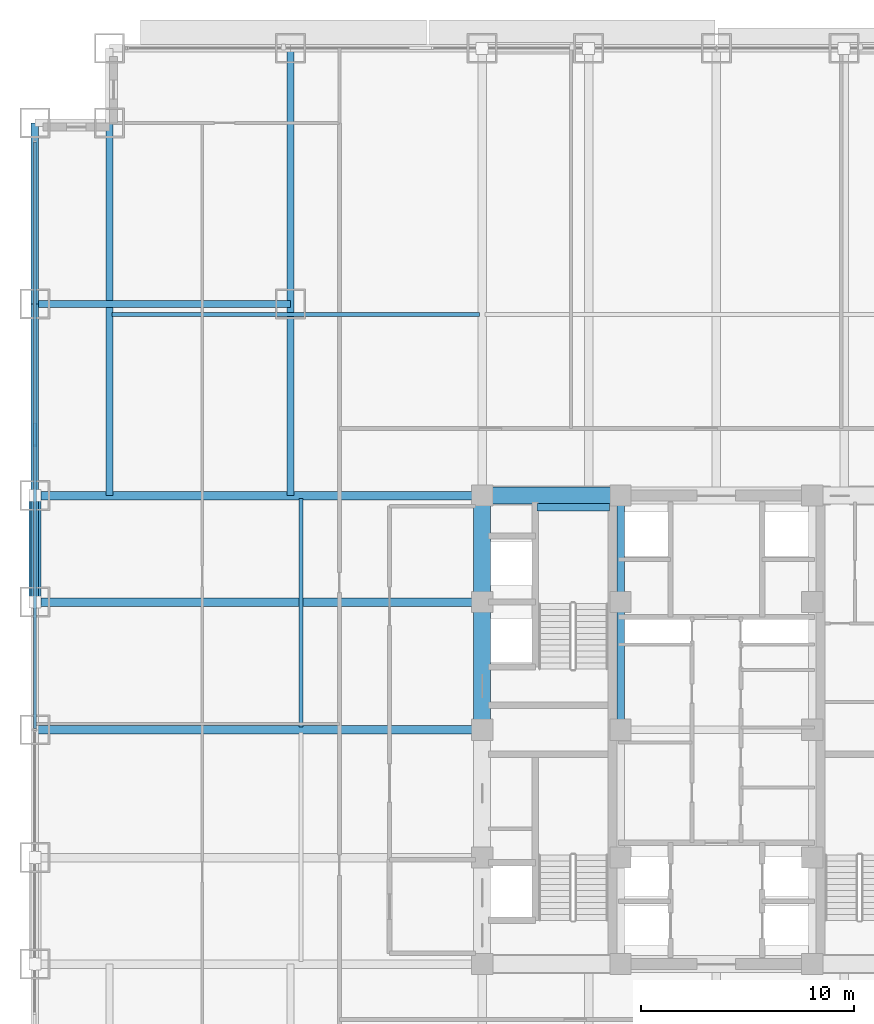
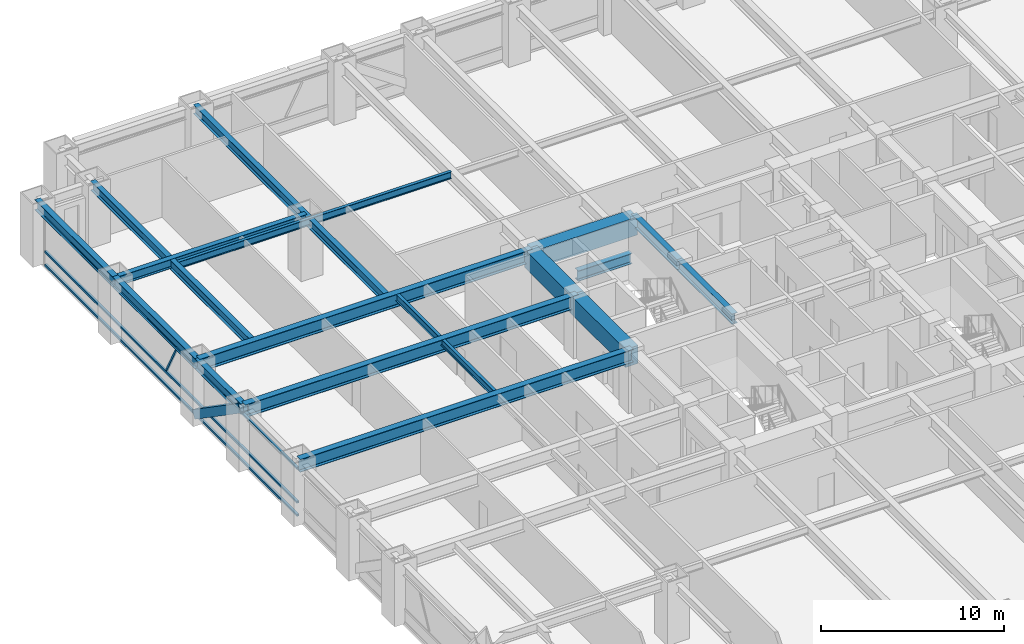
# One storey, part 9 of 32: 17 beams, 5 members, 1 element without a shape of its own.
"""IFC4 building model written with IfcOpenShell, lengths in metres."""

from ifc_helpers import new_model, si_unit, direction, frame, origin, origin_2d, place, context, subcontext, project, spatial, rectangle, hollow_rectangle, i_section, extrude, source, transform, mapped, material, material_profile, profile_set, type_object, element, aggregate, save


model = new_model("IFC4")

# Units and contexts
model_context = context("Model", 3, precision=1e-05, world=origin(), true_north=direction((0.0, 1.0)))
body_context = subcontext(model_context, "Body", "Model", "MODEL_VIEW")
ifc_project = project(units=[si_unit("LENGTHUNIT", "METRE"), si_unit("AREAUNIT", "SQUARE_METRE"), si_unit("VOLUMEUNIT", "CUBIC_METRE"), si_unit("PLANEANGLEUNIT", "RADIAN"), si_unit("MASSUNIT", "GRAM", prefix="KILO")], contexts=[model_context])

# Site, building, storey
site_placement = place(None, origin())
site = spatial("IfcSite", under=ifc_project, at=site_placement, CompositionType="ELEMENT")
building_placement = place(site_placement, origin())
building = spatial("IfcBuilding", under=site, at=building_placement, Name="Khorayat Bourse Tower", CompositionType="ELEMENT")
storey_placement = place(building_placement, frame((0.0, 0.0, 70.39990234375)))
storey = spatial("IfcBuildingStorey", under=building, at=storey_placement, Name="L15", CompositionType="ELEMENT", Elevation=70.39990234375)

# Beams
ifc_material_1 = material(Name="Concrete C72/90", Category="concrete")
ifc_material_profile_1 = material_profile(ifc_material_1, rectangle(XDim=0.800048828125, YDim=1.199951171875, at=origin_2d()), Name="RC 800x1200")
ifc_profile_set_1 = profile_set([ifc_material_profile_1], Name="Concrete C72/90")
beam_type_1 = type_object("IfcBeamType", Name="BM-COUP-1200", PredefinedType="BEAM", material=ifc_profile_set_1)
shared_shape_1 = source(origin(), body_context, "Body", "SweptSolid", [
    extrude(rectangle(XDim=0.800048828125, YDim=1.199951171875, at=origin_2d()), origin(), (0.0, 0.0, 1.0), 5.0),
])
beam_1_placement = place(storey_placement, frame((-11.0, 6.0, 3.340087890625), z_axis=(0.0, 1.0, 0.0), x_axis=(-1.0, 0.0, 0.0)))
element("IfcBeam", 1, at=beam_1_placement, inside=storey, type_object=beam_type_1, Name="L15 BM-COUP-1200 BM-L15-CRX-04", PredefinedType="BEAM", context=body_context, shape_type="MappedRepresentation", body=[
    mapped(shared_shape_1, transform((0.0, 0.0, 0.0), scale=1.0)),
])
shared_shape_2 = source(origin(), body_context, "Body", "SweptSolid", [
    extrude(rectangle(XDim=0.800048828125, YDim=1.199951171875, at=origin_2d()), origin(), (0.0, 0.0, 1.0), 6.0),
])
beam_2_placement = place(storey_placement, frame((-11.0, 0.0, 3.340087890625), z_axis=(0.0, 1.0, 0.0), x_axis=(-1.0, 0.0, 0.0)))
element("IfcBeam", 2, at=beam_2_placement, inside=storey, type_object=beam_type_1, Name="L15 BM-COUP-1200 BM-L15-CRX-03", PredefinedType="BEAM", context=body_context, shape_type="MappedRepresentation", body=[
    mapped(shared_shape_2, transform((0.0, 0.0, 0.0), scale=1.0)),
])
ifc_material_2 = material(Name="Steel ASTM A992 Grade 50", Category="steel")
ifc_material_profile_2 = material_profile(ifc_material_2, i_section(OverallWidth=0.35498046875, OverallDepth=0.695068359375, WebThickness=0.015380859375, FlangeThickness=0.02490234375, FilletRadius=0.01806640625, at=origin_2d()), Name="W690X217")
ifc_profile_set_2 = profile_set([ifc_material_profile_2], Name="Steel ASTM A992 Grade 50")
beam_type_2 = type_object("IfcBeamType", Name="BM-GIRD-690", PredefinedType="BEAM", material=ifc_profile_set_2)
shared_shape_3 = source(origin(), body_context, "Body", "SweptSolid", [
    extrude(i_section(OverallWidth=0.35498046875, OverallDepth=0.695068359375, WebThickness=0.015380859375, FlangeThickness=0.02490234375, FilletRadius=0.01806640625, at=origin_2d()), origin(), (0.0, 0.0, 1.0), 5.0),
])
beam_3_placement = place(storey_placement, frame((-4.5, 6.0, 3.592529296875), z_axis=(0.0, 1.0, 0.0), x_axis=(-1.0, 0.0, 0.0)))
element("IfcBeam", 3, at=beam_3_placement, inside=storey, type_object=beam_type_2, Name="L15 BM-GIRD-690 BM-L15-CRX-08", PredefinedType="BEAM", context=body_context, shape_type="MappedRepresentation", body=[
    mapped(shared_shape_3, transform((0.0, 0.0, 0.0), scale=1.0)),
])
shared_shape_4 = source(origin(), body_context, "Body", "SweptSolid", [
    extrude(i_section(OverallWidth=0.35498046875, OverallDepth=0.695068359375, WebThickness=0.015380859375, FlangeThickness=0.02490234375, FilletRadius=0.01806640625, at=origin_2d()), origin(), (0.0, 0.0, 1.0), 6.0),
])
beam_4_placement = place(storey_placement, frame((-4.5, 0.0, 3.592529296875), z_axis=(0.0, 1.0, 0.0), x_axis=(-1.0, 0.0, 0.0)))
element("IfcBeam", 4, at=beam_4_placement, inside=storey, type_object=beam_type_2, Name="L15 BM-GIRD-690 BM-L15-CRX-07", PredefinedType="BEAM", context=body_context, shape_type="MappedRepresentation", body=[
    mapped(shared_shape_4, transform((0.0, 0.0, 0.0), scale=1.0)),
])
shared_shape_5 = source(origin(), body_context, "Body", "SweptSolid", [
    extrude(rectangle(XDim=0.800048828125, YDim=1.199951171875, at=origin_2d()), origin(), (0.0, 0.0, 1.0), 6.5),
])
beam_5_placement = place(storey_placement, frame((-11.0, 11.0, 3.340087890625), z_axis=(1.0, 0.0, 0.0), x_axis=(0.0, 1.0, 0.0)))
element("IfcBeam", 5, at=beam_5_placement, inside=storey, type_object=beam_type_1, Name="L15 BM-COUP-1200 BM-L15-CRY-20", PredefinedType="BEAM", context=body_context, shape_type="MappedRepresentation", body=[
    mapped(shared_shape_5, transform((0.0, 0.0, 0.0), scale=1.0)),
])
shared_shape_6 = source(origin(), body_context, "Body", "SweptSolid", [
    extrude(i_section(OverallWidth=0.35498046875, OverallDepth=0.695068359375, WebThickness=0.015380859375, FlangeThickness=0.02490234375, FilletRadius=0.01806640625, at=origin_2d()), origin(), (0.0, 0.0, 1.0), 3.39990234375),
])
beam_6_placement = place(storey_placement, frame((-8.419921875, 10.449951171875, 1.552490234375), z_axis=(1.0, 0.0, 0.0), x_axis=(0.0, 1.0, 0.0)))
element("IfcBeam", 6, at=beam_6_placement, inside=storey, type_object=beam_type_2, Name="L15 BM-GIRD-690 BM-L15-ST2L", PredefinedType="BEAM", context=body_context, shape_type="MappedRepresentation", body=[
    mapped(shared_shape_6, transform((0.0, 0.0, 0.0), scale=1.0)),
])
ifc_material_profile_3 = material_profile(ifc_material_2, i_section(OverallWidth=0.35498046875, OverallDepth=0.695068359375, WebThickness=0.015380859375, FlangeThickness=0.02490234375, FilletRadius=0.01806640625, at=origin_2d()), Name="W690X217")
ifc_profile_set_3 = profile_set([ifc_material_profile_3], Name="Steel ASTM A992 Grade 50")
beam_type_3 = type_object("IfcBeamType", Name="BM-SPAN-690", PredefinedType="SPANDREL", material=ifc_profile_set_3)
shared_shape_7 = source(origin(), body_context, "Body", "SweptSolid", [
    extrude(i_section(OverallWidth=0.35498046875, OverallDepth=0.695068359375, WebThickness=0.015380859375, FlangeThickness=0.02490234375, FilletRadius=0.01806640625, at=origin_2d()), origin(), (0.0, 0.0, 1.0), 8.5),
])
beam_7_placement = place(storey_placement, frame((-32.0, 20.0, 3.592529296875), z_axis=(0.0, 1.0, 0.0), x_axis=(-1.0, 0.0, 0.0)))
element("IfcBeam", 7, at=beam_7_placement, inside=storey, type_object=beam_type_3, Name="L15 BM-SPAN-690 BM-L15-SPN-054", PredefinedType="SPANDREL", context=body_context, shape_type="MappedRepresentation", body=[
    mapped(shared_shape_7, transform((0.0, 0.0, 0.0), scale=1.0)),
])
shared_shape_8 = source(origin(), body_context, "Body", "SweptSolid", [
    extrude(i_section(OverallWidth=0.35498046875, OverallDepth=0.695068359375, WebThickness=0.015380859375, FlangeThickness=0.02490234375, FilletRadius=0.01806640625, at=origin_2d()), origin(), (0.0, 0.0, 1.0), 9.0),
])
beam_8_placement = place(storey_placement, frame((-32.0, 11.0, 3.592529296875), z_axis=(0.0, 1.0, 0.0), x_axis=(-1.0, 0.0, 0.0)))
element("IfcBeam", 8, at=beam_8_placement, inside=storey, type_object=beam_type_3, Name="L15 BM-SPAN-690 BM-L15-SPN-055", PredefinedType="SPANDREL", context=body_context, shape_type="MappedRepresentation", body=[
    mapped(shared_shape_8, transform((0.0, 0.0, 0.0), scale=1.0)),
])
shared_shape_9 = source(origin(), body_context, "Body", "SweptSolid", [
    extrude(i_section(OverallWidth=0.35498046875, OverallDepth=0.695068359375, WebThickness=0.015380859375, FlangeThickness=0.02490234375, FilletRadius=0.01806640625, at=origin_2d()), origin(), (0.0, 0.0, 1.0), 5.0),
])
beam_9_placement = place(storey_placement, frame((-32.0, 6.0, 3.592529296875), z_axis=(0.0, 1.0, 0.0), x_axis=(-1.0, 0.0, 0.0)))
element("IfcBeam", 9, at=beam_9_placement, inside=storey, type_object=beam_type_3, Name="L15 BM-SPAN-690 BM-L15-SPN-056", PredefinedType="SPANDREL", context=body_context, shape_type="MappedRepresentation", body=[
    mapped(shared_shape_9, transform((0.0, 0.0, 0.0), scale=1.0)),
])
ifc_material_profile_4 = material_profile(ifc_material_2, i_section(OverallWidth=0.39990234375, OverallDepth=0.85498046875, WebThickness=0.018310546875, FlangeThickness=0.029296875, FilletRadius=0.02001953125, at=origin_2d()), Name="W840X299")
ifc_profile_set_4 = profile_set([ifc_material_profile_4], Name="Steel ASTM A992 Grade 50")
beam_type_4 = type_object("IfcBeamType", Name="BM-GIRD-840", PredefinedType="BEAM", material=ifc_profile_set_4)
shared_shape_10 = source(origin(), body_context, "Body", "SweptSolid", [
    extrude(i_section(OverallWidth=0.39990234375, OverallDepth=0.85498046875, WebThickness=0.018310546875, FlangeThickness=0.029296875, FilletRadius=0.02001953125, at=origin_2d()), origin(), (0.0, 0.0, 1.0), 21.0),
])
for number, where, z_axis, x_axis, name in (
    (10, (-32.0, 0.0, 3.5126953125), (1.0, 0.0, 0.0), (0.0, 1.0, 0.0), "L15 BM-GIRD-840 BM-L15-RADX-079"),
    (11, (-32.0, 6.0, 3.5126953125), (1.0, 0.0, 0.0), (0.0, 1.0, 0.0), "L15 BM-GIRD-840 BM-L15-RADX-081"),
    (12, (-32.0, 11.0, 3.5126953125), (1.0, 0.0, 0.0), (0.0, 1.0, 0.0), "L15 BM-GIRD-840 BM-L15-RADX-083"),
):
    element("IfcBeam", number, at=place(storey_placement, frame(where, z_axis=z_axis, x_axis=x_axis)), inside=storey, type_object=beam_type_4, Name=name, PredefinedType="BEAM", context=body_context, shape_type="MappedRepresentation", body=[
        mapped(shared_shape_10, transform((0.0, 0.0, 0.0), scale=1.0)),
    ])
ifc_material_profile_5 = material_profile(ifc_material_2, i_section(OverallWidth=0.324951171875, OverallDepth=0.615966796875, WebThickness=0.013916015625, FlangeThickness=0.021484375, FilletRadius=0.01611328125, at=origin_2d()), Name="W610X174")
ifc_profile_set_5 = profile_set([ifc_material_profile_5], Name="Steel ASTM A992 Grade 50")
beam_type_5 = type_object("IfcBeamType", Name="BM-GIRD-610", PredefinedType="BEAM", material=ifc_profile_set_5)
shared_shape_11 = source(origin(), body_context, "Body", "SweptSolid", [
    extrude(i_section(OverallWidth=0.324951171875, OverallDepth=0.615966796875, WebThickness=0.013916015625, FlangeThickness=0.021484375, FilletRadius=0.01611328125, at=origin_2d()), origin(), (0.0, 0.0, 1.0), 21.0),
])
beam_10_placement = place(storey_placement, frame((-20.0, 11.0, 3.632080078125), z_axis=(0.0, 1.0, 0.0), x_axis=(-1.0, 0.0, 0.0)))
element("IfcBeam", 13, at=beam_10_placement, inside=storey, type_object=beam_type_5, Name="L15 BM-GIRD-610 BM-L15-CNRY-085", PredefinedType="BEAM", context=body_context, shape_type="MappedRepresentation", body=[
    mapped(shared_shape_11, transform((0.0, 0.0, 0.0), scale=1.0)),
])
shared_shape_12 = source(origin(), body_context, "Body", "SweptSolid", [
    extrude(i_section(OverallWidth=0.324951171875, OverallDepth=0.615966796875, WebThickness=0.013916015625, FlangeThickness=0.021484375, FilletRadius=0.01611328125, at=origin_2d()), origin(), (0.0, 0.0, 1.0), 17.5),
])
beam_11_placement = place(storey_placement, frame((-28.5, 11.0, 3.632080078125), z_axis=(0.0, 1.0, 0.0), x_axis=(-1.0, 0.0, 0.0)))
element("IfcBeam", 14, at=beam_11_placement, inside=storey, type_object=beam_type_5, Name="L15 BM-GIRD-610 BM-L15-CNRY-089", PredefinedType="BEAM", context=body_context, shape_type="MappedRepresentation", body=[
    mapped(shared_shape_12, transform((0.0, 0.0, 0.0), scale=1.0)),
])
shared_shape_13 = source(origin(), body_context, "Body", "SweptSolid", [
    extrude(i_section(OverallWidth=0.324951171875, OverallDepth=0.615966796875, WebThickness=0.013916015625, FlangeThickness=0.021484375, FilletRadius=0.01611328125, at=origin_2d()), origin(), (0.0, 0.0, 1.0), 12.0),
])
beam_12_placement = place(storey_placement, frame((-32.0, 20.0, 3.632080078125), z_axis=(1.0, 0.0, 0.0), x_axis=(0.0, 1.0, 0.0)))
element("IfcBeam", 15, at=beam_12_placement, inside=storey, type_object=beam_type_5, Name="L15 BM-GIRD-610 BM-L15-CNRX-095", PredefinedType="BEAM", context=body_context, shape_type="MappedRepresentation", body=[
    mapped(shared_shape_13, transform((0.0, 0.0, 0.0), scale=1.0)),
])
ifc_material_profile_6 = material_profile(ifc_material_2, i_section(OverallWidth=0.194091796875, OverallDepth=0.468994140625, WebThickness=0.0126953125, FlangeThickness=0.0205078125, FilletRadius=0.012939453125, at=origin_2d()), Name="W460X106")
ifc_profile_set_6 = profile_set([ifc_material_profile_6], Name="Steel ASTM A992 Grade 50")
beam_type_6 = type_object("IfcBeamType", Name="BM-JOIST-460", PredefinedType="JOIST", material=ifc_profile_set_6)
shared_shape_14 = source(origin(), body_context, "Body", "SweptSolid", [
    extrude(i_section(OverallWidth=0.194091796875, OverallDepth=0.468994140625, WebThickness=0.0126953125, FlangeThickness=0.0205078125, FilletRadius=0.012939453125, at=origin_2d()), origin(), (0.0, 0.0, 1.0), 17.240234375),
])
beam_13_placement = place(storey_placement, frame((-28.3701171875, 19.5, 3.70556640625), z_axis=(1.0, 0.0, 0.0), x_axis=(0.0, 1.0, 0.0)))
element("IfcBeam", 16, at=beam_13_placement, inside=storey, type_object=beam_type_6, Name="L15 BM-JOIST-460 BM-L15-JSTX-099", PredefinedType="JOIST", context=body_context, shape_type="MappedRepresentation", body=[
    mapped(shared_shape_14, transform((0.0, 0.0, 0.0), scale=1.0)),
])
shared_shape_15 = source(origin(), body_context, "Body", "SweptSolid", [
    extrude(i_section(OverallWidth=0.194091796875, OverallDepth=0.468994140625, WebThickness=0.0126953125, FlangeThickness=0.0205078125, FilletRadius=0.012939453125, at=origin_2d()), origin(), (0.0, 0.0, 1.0), 10.740234375),
])
beam_14_placement = place(storey_placement, frame((-19.5, 0.1298828125, 3.70556640625), z_axis=(0.0, 1.0, 0.0), x_axis=(-1.0, 0.0, 0.0)))
element("IfcBeam", 17, at=beam_14_placement, inside=storey, type_object=beam_type_6, Name="L15 BM-JOIST-460 BM-L15-JSTY-103", PredefinedType="JOIST", context=body_context, shape_type="MappedRepresentation", body=[
    mapped(shared_shape_15, transform((0.0, 0.0, 0.0), scale=1.0)),
])

# Member
ifc_material_3 = material(Name="Steel EN 10025-4 S460M", Category="steel")
ifc_material_profile_7 = material_profile(ifc_material_3, hollow_rectangle(XDim=0.550048828125, YDim=0.550048828125, WallThickness=0.031982421875, at=origin_2d()), Name="HSS 550x550x32")
ifc_profile_set_7 = profile_set([ifc_material_profile_7], Name="Steel EN 10025-4 S460M")
member_type_1 = type_object("IfcMemberType", Name="MBR-TUBE-550", PredefinedType="BRACE", material=ifc_profile_set_7)
shared_shape_16 = source(origin(), body_context, "Body", "SweptSolid", [
    extrude(hollow_rectangle(XDim=0.550048828125, YDim=0.550048828125, WallThickness=0.031982421875, at=origin_2d()), origin(), (0.0, 0.0, 1.0), 6.069091796875),
])
member_1_placement = place(storey_placement, frame((-32.0, 6.0, 3.690185546875), z_axis=(0.0, 0.823835295996, -0.566829255659), x_axis=(-1.0, 0.0, 0.0)))
element("IfcMember", 18, at=member_1_placement, inside=storey, type_object=member_type_1, Name="L15 Perimeter Tube Brace 06", PredefinedType="BRACE", context=body_context, shape_type="MappedRepresentation", body=[
    mapped(shared_shape_16, transform((0.0, 0.0, 0.0), scale=1.0)),
])

# Curtain wall, members
ifc_material_4 = material(Name="Aluminium EN AW-6063 T6", Category="aluminium")
curtain_wall_type = type_object("IfcCurtainWallType", Name="CW-SYS-02", PredefinedType="NOTDEFINED", material=ifc_material_4)
curtain_wall_placement = place(storey_placement, origin())
curtain_wall = element("IfcCurtainWall", 19, at=curtain_wall_placement, inside=storey, type_object=curtain_wall_type, Name="L15 Curtain Wall CW-L15-W1", PredefinedType="NOTDEFINED")
ifc_material_profile_8 = material_profile(ifc_material_4, hollow_rectangle(XDim=0.1201171875, YDim=0.1201171875, WallThickness=0.0048828125, at=origin_2d()), Name="ALU 120x120x5")
ifc_profile_set_8 = profile_set([ifc_material_profile_8], Name="Aluminium EN AW-6063 T6")
member_type_2 = type_object("IfcMemberType", Name="CWM-DIAG-120", PredefinedType="MULLION", material=ifc_profile_set_8)
shared_shape_17 = source(origin(), body_context, "Body", "SweptSolid", [
    extrude(hollow_rectangle(XDim=0.1201171875, YDim=0.1201171875, WallThickness=0.0048828125, at=origin_2d()), origin(), (0.0, 0.0, 1.0), 2.22607421875),
])
member_2_placement = place(storey_placement, frame((-32.0, 14.3583984375, 1.10009765625), z_axis=(0.0, -0.465759992596, 0.884911085532), x_axis=(1.0, 0.0, 0.0)))
member_2 = element("IfcMember", 20, at=member_2_placement, type_object=member_type_2, Name="CW-L15-W1 Faceted Diagonal Mullion 2", PredefinedType="MULLION", context=body_context, shape_type="MappedRepresentation", body=[
    mapped(shared_shape_17, transform((0.0, 0.0, 0.0), scale=1.0)),
])
ifc_material_profile_9 = material_profile(ifc_material_4, hollow_rectangle(XDim=0.139892578125, YDim=0.139892578125, WallThickness=0.006103515625, at=origin_2d()), Name="ALU 140x140x6")
ifc_profile_set_9 = profile_set([ifc_material_profile_9], Name="Aluminium EN AW-6063 T6")
member_type_3 = type_object("IfcMemberType", Name="CWT-HORZ-140", PredefinedType="USERDEFINED", material=ifc_profile_set_9)
shared_shape_18 = source(origin(), body_context, "Body", "SweptSolid", [
    extrude(hollow_rectangle(XDim=0.139892578125, YDim=0.139892578125, WallThickness=0.006103515625, at=origin_2d()), origin(), (0.0, 0.0, 1.0), 27.5400390625),
])
member_3_placement = place(storey_placement, frame((-32.0, 0.070068359375, 0.070068359375), z_axis=(0.0, 1.0, 0.0), x_axis=(-1.0, 0.0, 0.0)))
member_3 = element("IfcMember", 21, at=member_3_placement, type_object=member_type_3, Name="CW-L15-W1 Horizontal Transom 2-1", ObjectType="TRANSOM", PredefinedType="USERDEFINED", context=body_context, shape_type="MappedRepresentation", body=[
    mapped(shared_shape_18, transform((0.0, 0.0, 0.0), scale=1.0)),
])
member_4_placement = place(storey_placement, frame((-32.0, 0.070068359375, 0.9501953125), z_axis=(0.0, 1.0, 0.0), x_axis=(-1.0, 0.0, 0.0)))
member_4 = element("IfcMember", 22, at=member_4_placement, type_object=member_type_3, Name="CW-L15-W1 Horizontal Transom 2-2", ObjectType="TRANSOM", PredefinedType="USERDEFINED", context=body_context, shape_type="MappedRepresentation", body=[
    mapped(shared_shape_18, transform((0.0, 0.0, 0.0), scale=1.0)),
])
member_5_placement = place(storey_placement, frame((-32.0, 0.070068359375, 3.22021484375), z_axis=(0.0, 1.0, 0.0), x_axis=(-1.0, 0.0, 0.0)))
member_5 = element("IfcMember", 23, at=member_5_placement, type_object=member_type_3, Name="CW-L15-W1 Horizontal Transom 2-3", ObjectType="TRANSOM", PredefinedType="USERDEFINED", context=body_context, shape_type="MappedRepresentation", body=[
    mapped(shared_shape_18, transform((0.0, 0.0, 0.0), scale=1.0)),
])
aggregate(curtain_wall, [member_3, member_4, member_5, member_2])

save(model, "model.ifc")
